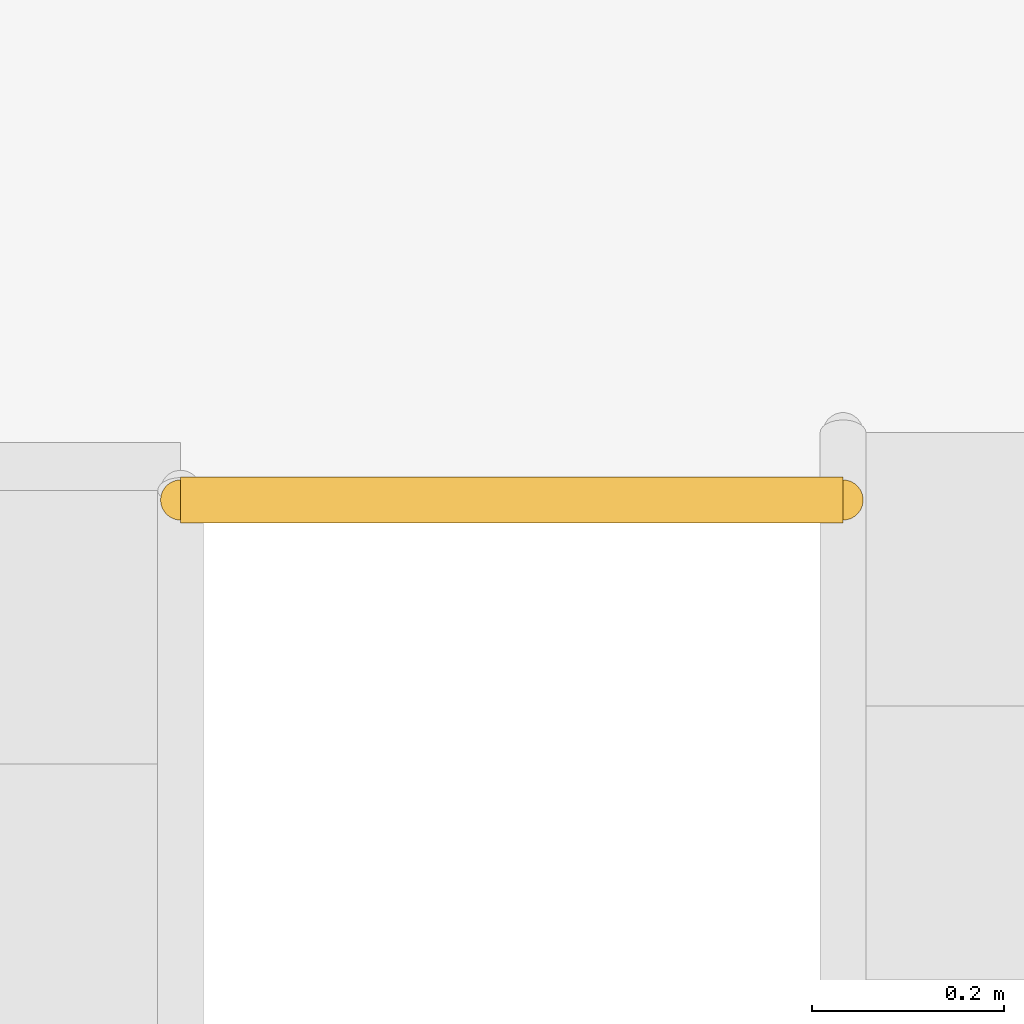
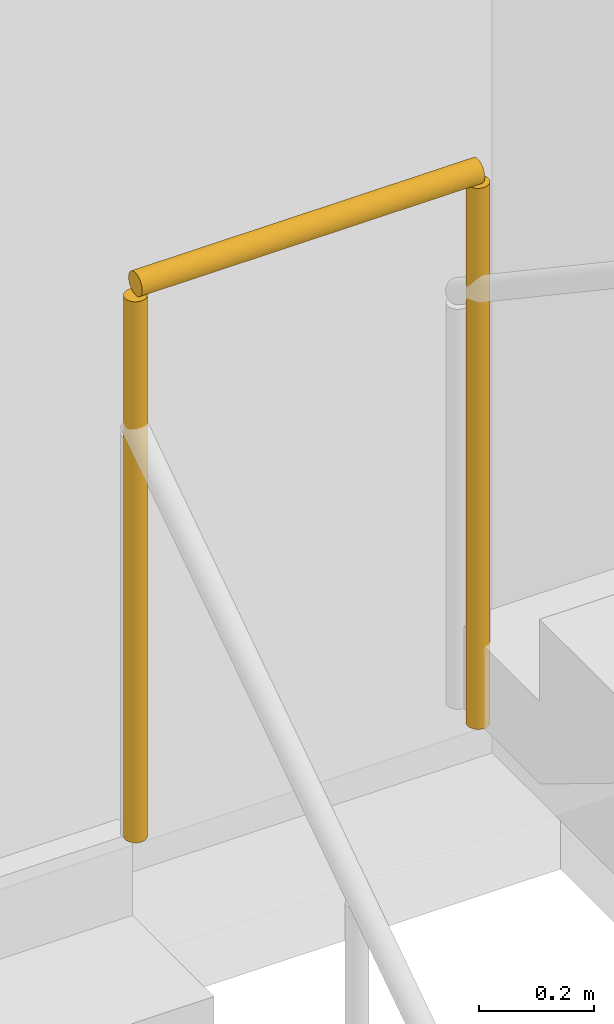
# One storey, part 161 of 161: 1 railing.
"""IFC4 building model written with IfcOpenShell, lengths in metres."""

from ifc_helpers import new_model, si_unit, direction, frame, origin, origin_2d, place, context, subcontext, project, spatial, circle, extrude, material, type_object, element, save


model = new_model("IFC4")

# Units and contexts
model_context = context("Model", 3, precision=1e-05, world=origin(), true_north=direction((0.0, 1.0)))
body_context = subcontext(model_context, "Body", "Model", "MODEL_VIEW")
ifc_project = project(units=[si_unit("LENGTHUNIT", "METRE"), si_unit("AREAUNIT", "SQUARE_METRE"), si_unit("VOLUMEUNIT", "CUBIC_METRE"), si_unit("PLANEANGLEUNIT", "RADIAN"), si_unit("MASSUNIT", "GRAM", prefix="KILO")], contexts=[model_context])

# Site, building, storey
site_placement = place(None, origin())
site = spatial("IfcSite", under=ifc_project, at=site_placement, CompositionType="ELEMENT")
building_placement = place(site_placement, origin())
building = spatial("IfcBuilding", under=site, at=building_placement, Name="Kildeholm Park Wholesale Market", CompositionType="ELEMENT")
storey_placement = place(building_placement, frame((0.0, 0.0, 5.39990234375)))
storey = spatial("IfcBuildingStorey", under=building, at=storey_placement, Name="L01", CompositionType="ELEMENT", Elevation=5.39990234375)

# Railing
ifc_material = material(Name="Painted steel and laminated glass balustrade", Category="steel")
railing_type = type_object("IfcRailingType", Name="Interior gallery and stairwell guard GR-IN1 1200 mm", PredefinedType="GUARDRAIL", material=ifc_material)
railing_placement = place(storey_placement, frame((146.860107421875, 167.544921875, 2.10009765625)))
element("IfcRailing", 1, at=railing_placement, inside=storey, type_object=railing_type, Name="Stair C03 half-landing well guard L01 RLG-0046", PredefinedType="GUARDRAIL", context=body_context, shape_type="SweptSolid", body=[
    extrude(circle(Radius=0.02392578125, at=origin_2d()), frame((0.0, 0.0, 1.17578125), z_axis=(1.0, 0.0, 0.0), x_axis=(0.0, 1.0, 0.0)), (0.0, 0.0, 1.0), 0.68994140625),
    extrude(circle(Radius=0.02099609375, at=origin_2d()), origin(), (0.0, 0.0, 1.0), 1.15185546875),
    extrude(circle(Radius=0.02099609375, at=origin_2d()), frame((0.68994140625, 0.0, 0.0)), (0.0, 0.0, 1.0), 1.15185546875),
])

save(model, "model.ifc")
